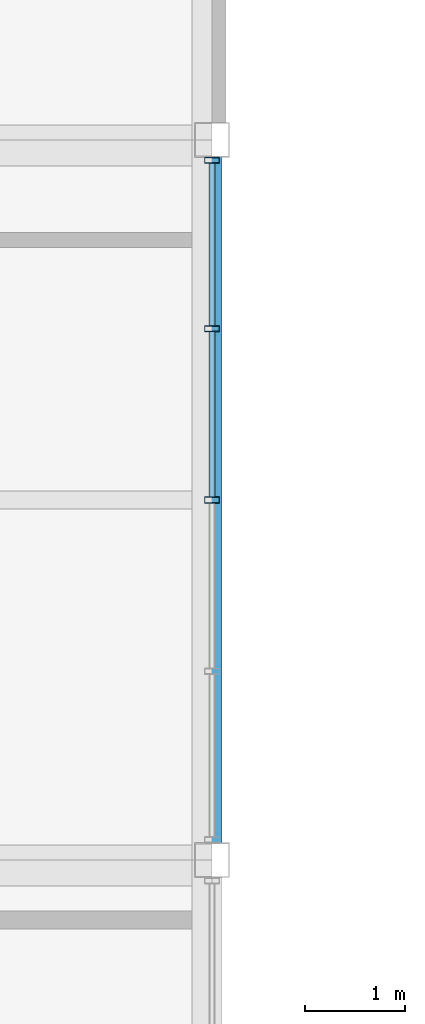
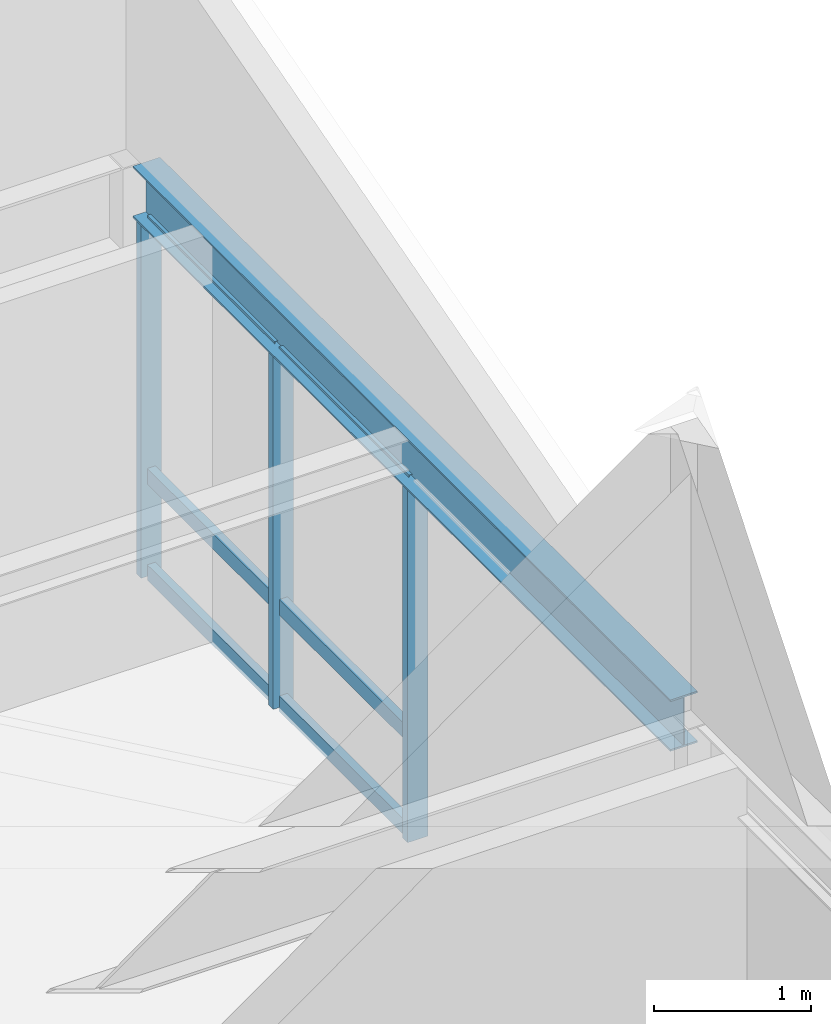
# One storey, part 13 of 43: 9 members, 1 beam, 1 element without a shape of its own.
"""IFC4 building model written with IfcOpenShell, lengths in metres."""

from ifc_helpers import new_model, si_unit, direction, frame, origin, origin_2d, place, context, subcontext, project, spatial, hollow_rectangle, i_section, extrude, material, material_profile, profile_set, type_object, element, aggregate, save


model = new_model("IFC4")

# Units and contexts
model_context = context("Model", 3, precision=1e-05, world=origin(), true_north=direction((0.0, 1.0)))
body_context = subcontext(model_context, "Body", "Model", "MODEL_VIEW")
ifc_project = project(units=[si_unit("LENGTHUNIT", "METRE"), si_unit("AREAUNIT", "SQUARE_METRE"), si_unit("VOLUMEUNIT", "CUBIC_METRE"), si_unit("PLANEANGLEUNIT", "RADIAN"), si_unit("MASSUNIT", "GRAM", prefix="KILO")], contexts=[model_context])

# Site, building, storey
site_placement = place(None, origin())
site = spatial("IfcSite", under=ifc_project, at=site_placement, CompositionType="ELEMENT")
building_placement = place(site_placement, origin())
building = spatial("IfcBuilding", under=site, at=building_placement, Name="Kazanami Central Library", CompositionType="ELEMENT")
storey_placement = place(building_placement, frame((0.0, 0.0, 20.60009765625)))
storey = spatial("IfcBuildingStorey", under=building, at=storey_placement, Name="L06", CompositionType="ELEMENT", Elevation=20.60009765625)

# Beam
ifc_material_1 = material(Name="Steel SN490B (325 MPa)", Category="steel")
ifc_material_profile_1 = material_profile(ifc_material_1, i_section(OverallWidth=0.199951171875, OverallDepth=0.39990234375, WebThickness=0.008056640625, FlangeThickness=0.012939453125, at=origin_2d()), Name="H-400x200x8x13")
ifc_profile_set_1 = profile_set([ifc_material_profile_1], Name="Steel SN490B (325 MPa)")
beam_type = type_object("IfcBeamType", Name="BM-SP-3", PredefinedType="SPANDREL", material=ifc_profile_set_1)
beam_placement = place(storey_placement, frame((36.0, 72.173095703125, 2.97998046875), z_axis=(0.0, 1.0, 0.0), x_axis=(-1.0, 0.0, 0.0)))
element("IfcBeam", 1, at=beam_placement, inside=storey, type_object=beam_type, Name="Girder SP-3 L06 5/L-M", PredefinedType="SPANDREL", context=body_context, shape_type="SweptSolid", body=[
    extrude(i_section(OverallWidth=0.199951171875, OverallDepth=0.39990234375, WebThickness=0.008056640625, FlangeThickness=0.012939453125, at=origin_2d()), origin(), (0.0, 0.0, 1.0), 6.85400390625),
])

# Curtain wall, members
ifc_material_2 = material(Name="Acid-Etched Low-E Laminated Glass", Category="glass")
curtain_wall_type = type_object("IfcCurtainWallType", Name="CW-6850x2780-M180", PredefinedType="USERDEFINED", material=ifc_material_2)
curtain_wall_placement = place(storey_placement, origin())
curtain_wall = element("IfcCurtainWall", 2, at=curtain_wall_placement, inside=storey, type_object=curtain_wall_type, Name="Covered Link Bridge Curtain Wall CW-58 L06 E-5-10", ObjectType="UNITISED CURTAIN WALL", PredefinedType="USERDEFINED")
ifc_material_3 = material(Name="Anodised Aluminium A6063-T5", Category="aluminium")
ifc_material_profile_2 = material_profile(ifc_material_3, hollow_rectangle(XDim=0.06005859375, YDim=0.14990234375, WallThickness=0.00390625, at=origin_2d()), Name="ALU-MULL-60x150x4")
ifc_profile_set_2 = profile_set([ifc_material_profile_2], Name="Anodised Aluminium A6063-T5")
member_type_1 = type_object("IfcMemberType", Name="MEM-CW-M3", PredefinedType="MULLION", material=ifc_profile_set_2)
member_1_placement = place(storey_placement, frame((36.0, 78.9951171875, 0.0), z_axis=(0.0, 0.0, 1.0), x_axis=(0.0, -1.0, 0.0)))
member_1 = element("IfcMember", 3, at=member_1_placement, type_object=member_type_1, Name="CW-58 mullion 1", PredefinedType="MULLION", context=body_context, shape_type="SweptSolid", body=[
    extrude(hollow_rectangle(XDim=0.06005859375, YDim=0.14990234375, WallThickness=0.00390625, at=origin_2d()), origin(), (0.0, 0.0, 1.0), 2.77978515625),
])
member_2_placement = place(storey_placement, frame((36.0, 77.3125, 0.0), z_axis=(0.0, 0.0, 1.0), x_axis=(0.0, -1.0, 0.0)))
member_2 = element("IfcMember", 4, at=member_2_placement, type_object=member_type_1, Name="CW-58 mullion 2", PredefinedType="MULLION", context=body_context, shape_type="SweptSolid", body=[
    extrude(hollow_rectangle(XDim=0.06005859375, YDim=0.14990234375, WallThickness=0.00390625, at=origin_2d()), origin(), (0.0, 0.0, 1.0), 2.77978515625),
])
member_3_placement = place(storey_placement, frame((36.0, 75.60009765625, 0.0), z_axis=(0.0, 0.0, 1.0), x_axis=(0.0, -1.0, 0.0)))
member_3 = element("IfcMember", 5, at=member_3_placement, type_object=member_type_1, Name="CW-58 mullion 3", PredefinedType="MULLION", context=body_context, shape_type="SweptSolid", body=[
    extrude(hollow_rectangle(XDim=0.06005859375, YDim=0.14990234375, WallThickness=0.00390625, at=origin_2d()), origin(), (0.0, 0.0, 1.0), 2.77978515625),
])
ifc_material_profile_3 = material_profile(ifc_material_3, hollow_rectangle(XDim=0.06005859375, YDim=0.1201171875, WallThickness=0.00341796875, at=origin_2d()), Name="ALU-TRAN-60x120x3.5")
ifc_profile_set_3 = profile_set([ifc_material_profile_3], Name="Anodised Aluminium A6063-T5")
member_type_2 = type_object("IfcMemberType", Name="MEM-CW-T3", PredefinedType="USERDEFINED", material=ifc_profile_set_3)
member_4_placement = place(storey_placement, frame((36.0, 78.965087890625, 0.02978515625), z_axis=(0.0, -1.0, 0.0), x_axis=(1.0, 0.0, 0.0)))
member_4 = element("IfcMember", 6, at=member_4_placement, type_object=member_type_2, Name="CW-58 transom 1.1", ObjectType="TRANSOM", PredefinedType="USERDEFINED", context=body_context, shape_type="SweptSolid", body=[
    extrude(hollow_rectangle(XDim=0.06005859375, YDim=0.1201171875, WallThickness=0.00341796875, at=origin_2d()), origin(), (0.0, 0.0, 1.0), 1.62255859375),
])
member_5_placement = place(storey_placement, frame((36.0, 78.965087890625, 0.77978515625), z_axis=(0.0, -1.0, 0.0), x_axis=(1.0, 0.0, 0.0)))
member_5 = element("IfcMember", 7, at=member_5_placement, type_object=member_type_2, Name="CW-58 transom 1.2", ObjectType="TRANSOM", PredefinedType="USERDEFINED", context=body_context, shape_type="SweptSolid", body=[
    extrude(hollow_rectangle(XDim=0.06005859375, YDim=0.1201171875, WallThickness=0.00341796875, at=origin_2d()), origin(), (0.0, 0.0, 1.0), 1.62255859375),
])
member_6_placement = place(storey_placement, frame((36.0, 78.965087890625, 2.75), z_axis=(0.0, -1.0, 0.0), x_axis=(1.0, 0.0, 0.0)))
member_6 = element("IfcMember", 8, at=member_6_placement, type_object=member_type_2, Name="CW-58 transom 1.3", ObjectType="TRANSOM", PredefinedType="USERDEFINED", context=body_context, shape_type="SweptSolid", body=[
    extrude(hollow_rectangle(XDim=0.06005859375, YDim=0.1201171875, WallThickness=0.00341796875, at=origin_2d()), origin(), (0.0, 0.0, 1.0), 1.62255859375),
])
member_7_placement = place(storey_placement, frame((36.0, 77.282470703125, 0.02978515625), z_axis=(0.0, -1.0, 0.0), x_axis=(1.0, 0.0, 0.0)))
member_7 = element("IfcMember", 9, at=member_7_placement, type_object=member_type_2, Name="CW-58 transom 2.1", ObjectType="TRANSOM", PredefinedType="USERDEFINED", context=body_context, shape_type="SweptSolid", body=[
    extrude(hollow_rectangle(XDim=0.06005859375, YDim=0.1201171875, WallThickness=0.00341796875, at=origin_2d()), origin(), (0.0, 0.0, 1.0), 1.652587890625),
])
member_8_placement = place(storey_placement, frame((36.0, 77.282470703125, 0.77978515625), z_axis=(0.0, -1.0, 0.0), x_axis=(1.0, 0.0, 0.0)))
member_8 = element("IfcMember", 10, at=member_8_placement, type_object=member_type_2, Name="CW-58 transom 2.2", ObjectType="TRANSOM", PredefinedType="USERDEFINED", context=body_context, shape_type="SweptSolid", body=[
    extrude(hollow_rectangle(XDim=0.06005859375, YDim=0.1201171875, WallThickness=0.00341796875, at=origin_2d()), origin(), (0.0, 0.0, 1.0), 1.652587890625),
])
member_9_placement = place(storey_placement, frame((36.0, 77.282470703125, 2.75), z_axis=(0.0, -1.0, 0.0), x_axis=(1.0, 0.0, 0.0)))
member_9 = element("IfcMember", 11, at=member_9_placement, type_object=member_type_2, Name="CW-58 transom 2.3", ObjectType="TRANSOM", PredefinedType="USERDEFINED", context=body_context, shape_type="SweptSolid", body=[
    extrude(hollow_rectangle(XDim=0.06005859375, YDim=0.1201171875, WallThickness=0.00341796875, at=origin_2d()), origin(), (0.0, 0.0, 1.0), 1.652587890625),
])
aggregate(curtain_wall, [member_1, member_2, member_3, member_4, member_5, member_6, member_7, member_8, member_9])

save(model, "model.ifc")
